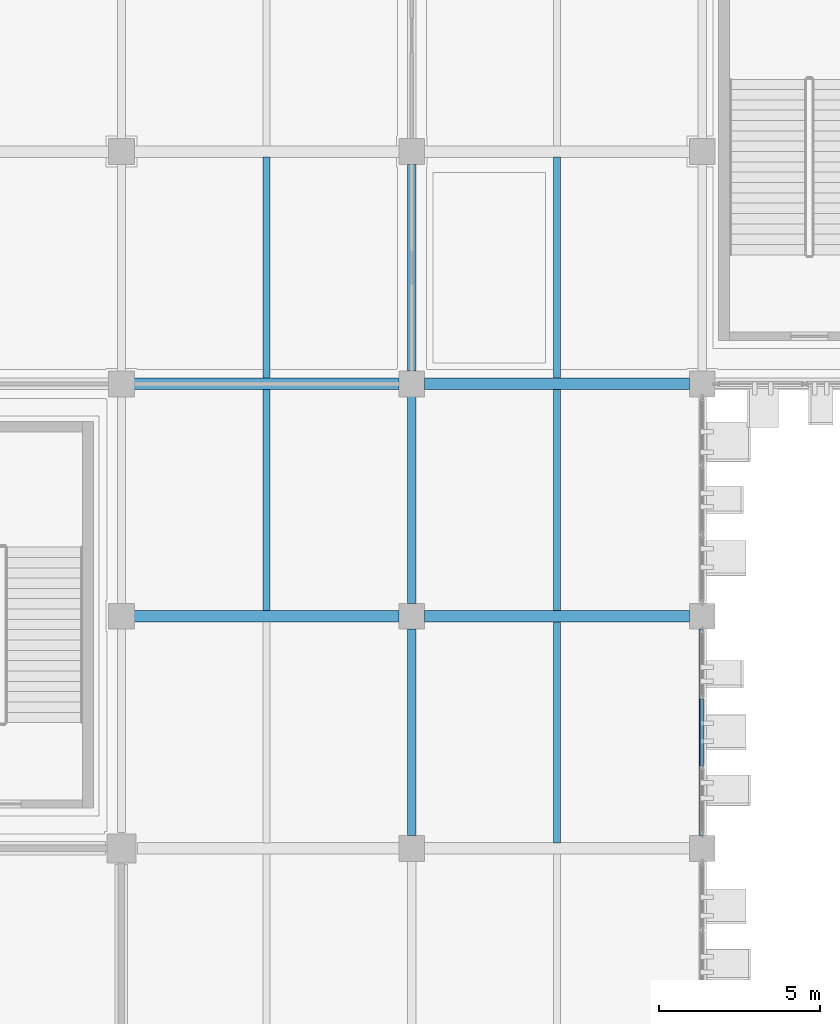
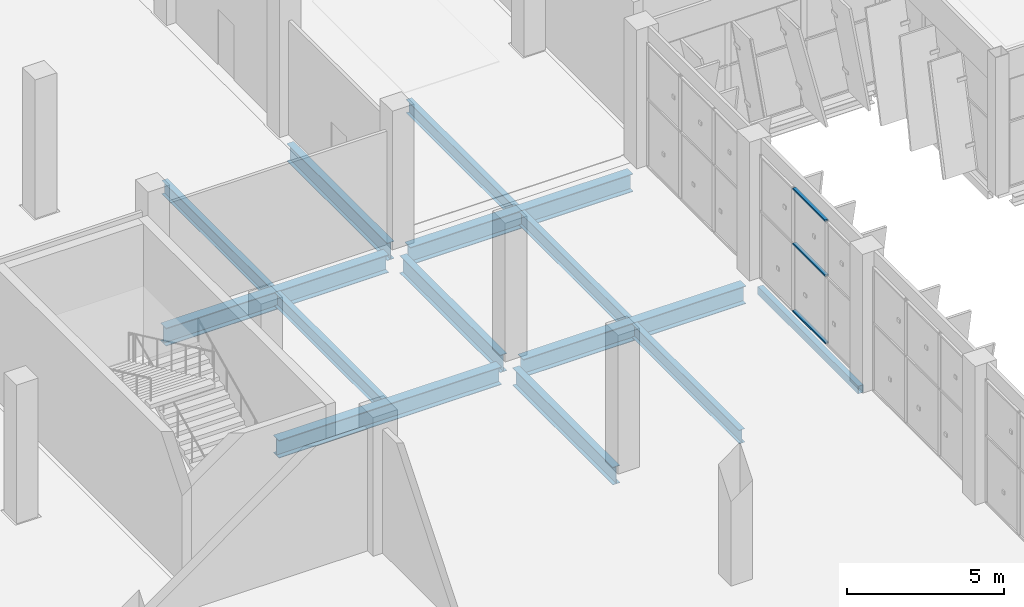
# One storey, part 60 of 137: 13 beams, 3 members, 1 element without a shape of its own.
"""IFC4 building model written with IfcOpenShell, lengths in metres."""

from ifc_helpers import new_model, si_unit, direction, frame, origin, origin_2d, place, context, subcontext, project, spatial, hollow_rectangle, i_section, extrude, material, layer, layer_set, material_profile, profile_set, type_object, element, aggregate, save


model = new_model("IFC4")

# Units and contexts
model_context = context("Model", 3, precision=1e-05, world=origin(), true_north=direction((0.0, 1.0)))
body_context = subcontext(model_context, "Body", "Model", "MODEL_VIEW")
ifc_project = project(units=[si_unit("LENGTHUNIT", "METRE"), si_unit("AREAUNIT", "SQUARE_METRE"), si_unit("VOLUMEUNIT", "CUBIC_METRE"), si_unit("PLANEANGLEUNIT", "RADIAN"), si_unit("MASSUNIT", "GRAM", prefix="KILO")], contexts=[model_context])

# Site, building, storey
site_placement = place(None, origin())
site = spatial("IfcSite", under=ifc_project, at=site_placement, CompositionType="ELEMENT")
building_placement = place(site_placement, origin())
building = spatial("IfcBuilding", under=site, at=building_placement, Name="Celestram Park Convention Centre", CompositionType="ELEMENT")
storey_placement = place(building_placement, origin())
storey = spatial("IfcBuildingStorey", under=building, at=storey_placement, Name="L00", CompositionType="ELEMENT", Elevation=0.0)

# Curtain wall, members
ifc_material_1 = material(Name="Anodised Aluminium Alloy 6063-T6", Category="aluminium")
ifc_layer = layer(ifc_material_1, 0.179931640625)
ifc_layer_set = layer_set([ifc_layer], Name="Anodised Aluminium Alloy 6063-T6")
curtain_wall_type = type_object("IfcCurtainWallType", Name="ARC-CW-640X482", PredefinedType="NOTDEFINED", material=ifc_layer_set)
curtain_wall_placement = place(storey_placement, origin())
curtain_wall = element("IfcCurtainWall", 1, at=curtain_wall_placement, inside=storey, type_object=curtain_wall_type, Name="Unitised curtain wall CU-L00-007", PredefinedType="NOTDEFINED")
ifc_material_profile_1 = material_profile(ifc_material_1, hollow_rectangle(XDim=0.1201171875, YDim=0.06005859375, WallThickness=0.0029296875, at=origin_2d()), Name="ALU120X60X3")
ifc_profile_set_1 = profile_set([ifc_material_profile_1], Name="Anodised Aluminium Alloy 6063-T6")
member_type = type_object("IfcMemberType", Name="ARC-CWT-120", PredefinedType="USERDEFINED", material=ifc_profile_set_1)
member_1_placement = place(storey_placement, frame((144.0, 112.634765625, 0.030029296875), z_axis=(0.0, -1.0, 0.0), x_axis=(1.0, 0.0, 0.0)))
member_1 = element("IfcMember", 2, at=member_1_placement, type_object=member_type, Name="CW-64X48 transom 2.1", ObjectType="TRANSOM", PredefinedType="USERDEFINED", context=body_context, shape_type="SweptSolid", body=[
    extrude(hollow_rectangle(XDim=0.1201171875, YDim=0.06005859375, WallThickness=0.0029296875, at=origin_2d()), origin(), (0.0, 0.0, 1.0), 2.069580078125),
])
member_2_placement = place(storey_placement, frame((144.0, 112.634765625, 2.64990234375), z_axis=(0.0, -1.0, 0.0), x_axis=(1.0, 0.0, 0.0)))
member_2 = element("IfcMember", 3, at=member_2_placement, type_object=member_type, Name="CW-64X48 transom 2.2", ObjectType="TRANSOM", PredefinedType="USERDEFINED", context=body_context, shape_type="SweptSolid", body=[
    extrude(hollow_rectangle(XDim=0.1201171875, YDim=0.06005859375, WallThickness=0.0029296875, at=origin_2d()), origin(), (0.0, 0.0, 1.0), 2.069580078125),
])
member_3_placement = place(storey_placement, frame((144.0, 112.634765625, 4.7900390625), z_axis=(0.0, -1.0, 0.0), x_axis=(1.0, 0.0, 0.0)))
member_3 = element("IfcMember", 4, at=member_3_placement, type_object=member_type, Name="CW-64X48 transom 2.3", ObjectType="TRANSOM", PredefinedType="USERDEFINED", context=body_context, shape_type="SweptSolid", body=[
    extrude(hollow_rectangle(XDim=0.1201171875, YDim=0.06005859375, WallThickness=0.0029296875, at=origin_2d()), origin(), (0.0, 0.0, 1.0), 2.069580078125),
])
aggregate(curtain_wall, [member_1, member_2, member_3])

# Beams
ifc_material_2 = material(Name="Steel ASTM A992 Grade 50", Category="steel")
ifc_material_profile_2 = material_profile(ifc_material_2, i_section(OverallWidth=0.35595703125, OverallDepth=0.696044921875, WebThickness=0.015380859375, FlangeThickness=0.02490234375, at=origin_2d()), Name="W27X146")
ifc_profile_set_2 = profile_set([ifc_material_profile_2], Name="Steel ASTM A992 Grade 50")
beam_type_1 = type_object("IfcBeamType", Name="STR-BM-W27X146", PredefinedType="BEAM", material=ifc_profile_set_2)
for number, where, z_axis, x_axis, name in (
    (5, (126.39794921875, 115.199951171875, -0.66796875), (1.0, 0.0, 0.0), (0.0, 1.0, 0.0), "Primary X-girder BG-L00-0608"),
    (6, (126.39794921875, 122.39990234375, -0.66796875), (1.0, 0.0, 0.0), (0.0, 1.0, 0.0), "Primary X-girder BG-L00-0610"),
    (7, (135.39794921875, 115.199951171875, -0.66796875), (1.0, 0.0, 0.0), (0.0, 1.0, 0.0), "Primary X-girder BG-L00-0647"),
    (8, (135.39794921875, 122.39990234375, -0.66796875), (1.0, 0.0, 0.0), (0.0, 1.0, 0.0), "Primary X-girder BG-L00-0649"),
):
    element("IfcBeam", number, at=place(storey_placement, frame(where, z_axis=z_axis, x_axis=x_axis)), inside=storey, type_object=beam_type_1, Name=name, PredefinedType="BEAM", context=body_context, shape_type="SweptSolid", body=[
        extrude(i_section(OverallWidth=0.35595703125, OverallDepth=0.696044921875, WebThickness=0.015380859375, FlangeThickness=0.02490234375, at=origin_2d()), origin(), (0.0, 0.0, 1.0), 8.2041015625),
    ])
ifc_material_profile_3 = material_profile(ifc_material_2, i_section(OverallWidth=0.25390625, OverallDepth=0.68310546875, WebThickness=0.012451171875, FlangeThickness=0.01904296875, at=origin_2d()), Name="W27X94")
ifc_profile_set_3 = profile_set([ifc_material_profile_3], Name="Steel ASTM A992 Grade 50")
beam_type_2 = type_object("IfcBeamType", Name="STR-BM-W27X94", PredefinedType="BEAM", material=ifc_profile_set_3)
for number, where, z_axis, x_axis, name in (
    (9, (135.0, 108.39794921875, -0.66162109375), (0.0, 1.0, 0.0), (-1.0, 0.0, 0.0), "Primary Y-girder BG-L00-0646"),
    (10, (135.0, 115.597900390625, -0.66162109375), (0.0, 1.0, 0.0), (-1.0, 0.0, 0.0), "Primary Y-girder BG-L00-0648"),
):
    element("IfcBeam", number, at=place(storey_placement, frame(where, z_axis=z_axis, x_axis=x_axis)), inside=storey, type_object=beam_type_2, Name=name, PredefinedType="BEAM", context=body_context, shape_type="SweptSolid", body=[
        extrude(i_section(OverallWidth=0.25390625, OverallDepth=0.68310546875, WebThickness=0.012451171875, FlangeThickness=0.01904296875, at=origin_2d()), origin(), (0.0, 0.0, 1.0), 6.404052734375),
    ])
beam_1_placement = place(storey_placement, frame((135.0, 122.798095703125, -0.66162109375), z_axis=(0.0, 1.0, 0.0), x_axis=(-1.0, 0.0, 0.0)))
element("IfcBeam", 11, at=beam_1_placement, inside=storey, type_object=beam_type_2, Name="Primary Y-girder BG-L00-0650", PredefinedType="BEAM", context=body_context, shape_type="SweptSolid", body=[
    extrude(i_section(OverallWidth=0.25390625, OverallDepth=0.68310546875, WebThickness=0.012451171875, FlangeThickness=0.01904296875, at=origin_2d()), origin(), (0.0, 0.0, 1.0), 6.40380859375),
])
ifc_material_profile_4 = material_profile(ifc_material_2, i_section(OverallWidth=0.2099609375, OverallDepth=0.532958984375, WebThickness=0.01025390625, FlangeThickness=0.015625, at=origin_2d()), Name="W21X62")
ifc_profile_set_4 = profile_set([ifc_material_profile_4], Name="Steel ASTM A992 Grade 50")
beam_type_3 = type_object("IfcBeamType", Name="STR-JST-W21X62", PredefinedType="JOIST", material=ifc_profile_set_4)
for number, where, z_axis, x_axis, name in (
    (12, (130.5, 115.3740234375, -0.58642578125), (0.0, 1.0, 0.0), (-1.0, 0.0, 0.0), "Secondary composite joist BG-L00-1151"),
    (13, (130.5, 122.573974609375, -0.58642578125), (0.0, 1.0, 0.0), (-1.0, 0.0, 0.0), "Secondary composite joist BG-L00-1152"),
):
    element("IfcBeam", number, at=place(storey_placement, frame(where, z_axis=z_axis, x_axis=x_axis)), inside=storey, type_object=beam_type_3, Name=name, PredefinedType="JOIST", context=body_context, shape_type="SweptSolid", body=[
        extrude(i_section(OverallWidth=0.2099609375, OverallDepth=0.532958984375, WebThickness=0.01025390625, FlangeThickness=0.015625, at=origin_2d()), origin(), (0.0, 0.0, 1.0), 6.85205078125),
    ])
beam_2_placement = place(storey_placement, frame((139.5, 108.174072265625, -0.58642578125), z_axis=(0.0, 1.0, 0.0), x_axis=(-1.0, 0.0, 0.0)))
element("IfcBeam", 14, at=beam_2_placement, inside=storey, type_object=beam_type_3, Name="Secondary composite joist BG-L00-1166", PredefinedType="JOIST", context=body_context, shape_type="SweptSolid", body=[
    extrude(i_section(OverallWidth=0.2099609375, OverallDepth=0.532958984375, WebThickness=0.01025390625, FlangeThickness=0.015625, at=origin_2d()), origin(), (0.0, 0.0, 1.0), 6.851806640625),
])
for number, where, z_axis, x_axis, name in (
    (15, (139.5, 115.3740234375, -0.58642578125), (0.0, 1.0, 0.0), (-1.0, 0.0, 0.0), "Secondary composite joist BG-L00-1167"),
    (16, (139.5, 122.573974609375, -0.58642578125), (0.0, 1.0, 0.0), (-1.0, 0.0, 0.0), "Secondary composite joist BG-L00-1168"),
):
    element("IfcBeam", number, at=place(storey_placement, frame(where, z_axis=z_axis, x_axis=x_axis)), inside=storey, type_object=beam_type_3, Name=name, PredefinedType="JOIST", context=body_context, shape_type="SweptSolid", body=[
        extrude(i_section(OverallWidth=0.2099609375, OverallDepth=0.532958984375, WebThickness=0.01025390625, FlangeThickness=0.015625, at=origin_2d()), origin(), (0.0, 0.0, 1.0), 6.85205078125),
    ])
ifc_material_3 = material(Name="Steel ASTM A500 Grade C", Category="steel")
ifc_material_profile_5 = material_profile(ifc_material_3, hollow_rectangle(XDim=0.199951171875, YDim=0.300048828125, WallThickness=0.011962890625, at=origin_2d()), Name="HSS300X200X12")
ifc_profile_set_5 = profile_set([ifc_material_profile_5], Name="Steel ASTM A500 Grade C")
beam_type_4 = type_object("IfcBeamType", Name="STR-SPN-HSS300X200", PredefinedType="SPANDREL", material=ifc_profile_set_5)
beam_3_placement = place(storey_placement, frame((144.0, 108.39794921875, -0.469970703125), z_axis=(0.0, 1.0, 0.0), x_axis=(-1.0, 0.0, 0.0)))
element("IfcBeam", 17, at=beam_3_placement, inside=storey, type_object=beam_type_4, Name="Primary Y-girder BG-L00-0680", PredefinedType="SPANDREL", context=body_context, shape_type="SweptSolid", body=[
    extrude(hollow_rectangle(XDim=0.199951171875, YDim=0.300048828125, WallThickness=0.011962890625, at=origin_2d()), origin(), (0.0, 0.0, 1.0), 6.404052734375),
])

save(model, "model.ifc")
